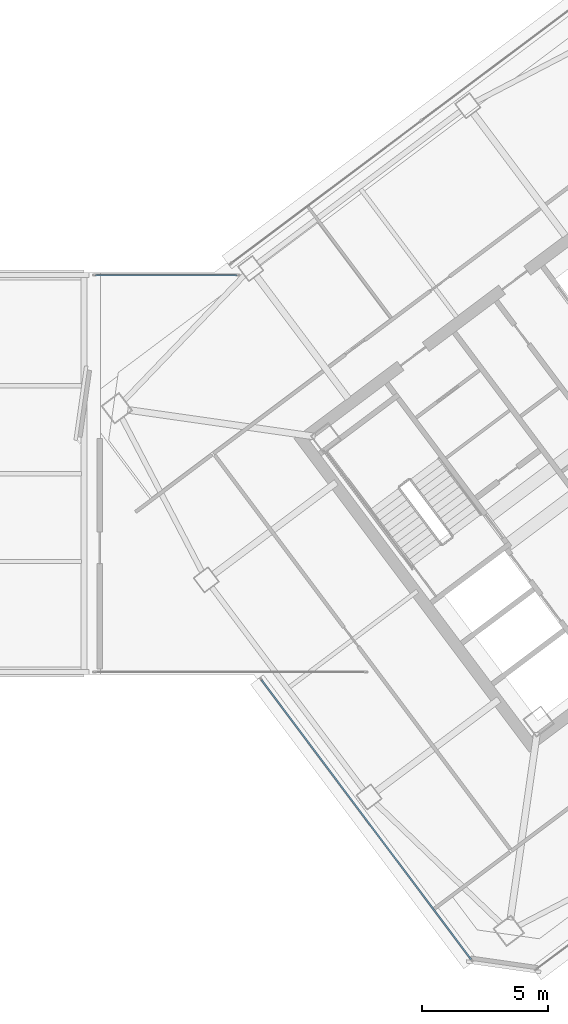
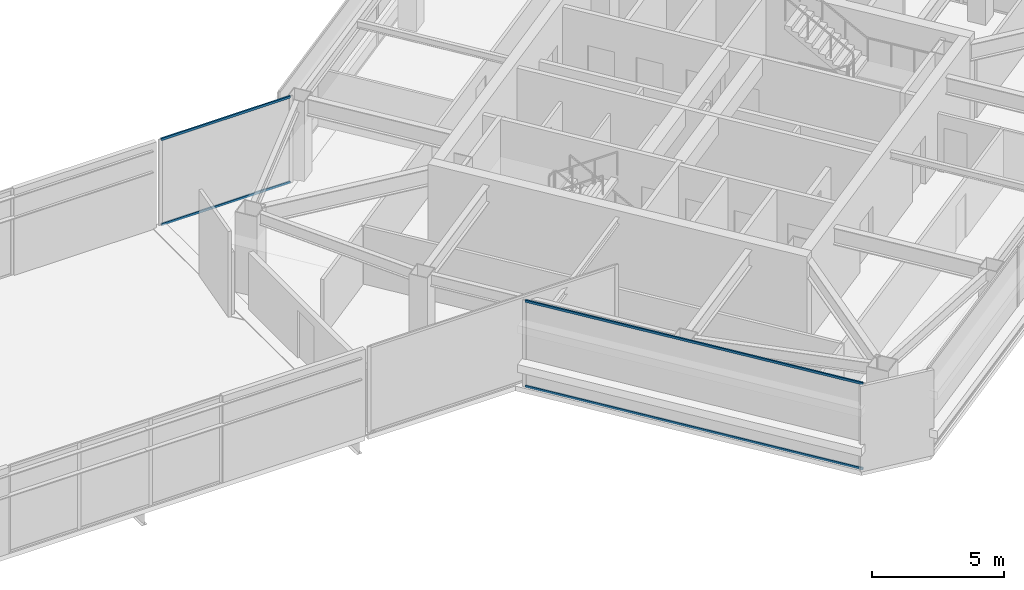
# One storey, part 27 of 51: 4 members, 2 elements without a shape of their own.
"""IFC4 building model written with IfcOpenShell, lengths in metres."""

from ifc_helpers import new_model, si_unit, direction, frame, origin, origin_2d, place, context, subcontext, project, spatial, hollow_rectangle, extrude, material, material_profile, profile_set, type_object, element, aggregate, save


model = new_model("IFC4")

# Units and contexts
model_context = context("Model", 3, precision=1e-05, world=origin(), true_north=direction((0.0, 1.0)))
body_context = subcontext(model_context, "Body", "Model", "MODEL_VIEW")
ifc_project = project(units=[si_unit("LENGTHUNIT", "METRE"), si_unit("AREAUNIT", "SQUARE_METRE"), si_unit("VOLUMEUNIT", "CUBIC_METRE"), si_unit("PLANEANGLEUNIT", "RADIAN"), si_unit("MASSUNIT", "GRAM", prefix="KILO")], contexts=[model_context])

# Site, building, storey
site_placement = place(None, origin())
site = spatial("IfcSite", under=ifc_project, at=site_placement, CompositionType="ELEMENT")
building_placement = place(site_placement, origin())
building = spatial("IfcBuilding", under=site, at=building_placement, Name="Tashvorn Skyway Center", CompositionType="ELEMENT")
storey_placement = place(building_placement, frame((0.0, 0.0, 259.39990234375)))
storey = spatial("IfcBuildingStorey", under=building, at=storey_placement, Name="L70", CompositionType="ELEMENT", Elevation=259.39990234375)

# Curtain wall, members
ifc_material = material(Name="Thermally broken bronze-anodized aluminium 6063-T6", Category="aluminium")
curtain_wall_type = type_object("IfcCurtainWallType", Name="CW-CW-SKY", PredefinedType="NOTDEFINED", material=ifc_material)
curtain_wall_1_placement = place(storey_placement, origin())
curtain_wall_1 = element("IfcCurtainWall", 1, at=curtain_wall_1_placement, inside=storey, type_object=curtain_wall_type, Name="Tower 2 L70 West Curtain Wall A", PredefinedType="NOTDEFINED")
ifc_material_profile = material_profile(ifc_material, hollow_rectangle(XDim=0.06494140625, YDim=0.10498046875, WallThickness=0.00390625, at=origin_2d()), Name="ALU-TRAN-65x105")
ifc_profile_set = profile_set([ifc_material_profile], Name="Thermally broken bronze-anodized aluminium 6063-T6")
member_type = type_object("IfcMemberType", Name="CWT-CW-SKY", PredefinedType="USERDEFINED", material=ifc_profile_set)
member_1_placement = place(storey_placement, frame((109.905029296875, 12.659912109375, 0.03271484375), z_axis=(-0.6, 0.8, 0.0), x_axis=(-0.8, -0.6, 0.0)))
member_1 = element("IfcMember", 2, at=member_1_placement, type_object=member_type, Name="CW-SKY transom 1.1", ObjectType="TRANSOM", PredefinedType="USERDEFINED", context=body_context, shape_type="SweptSolid", body=[
    extrude(hollow_rectangle(XDim=0.06494140625, YDim=0.10498046875, WallThickness=0.00390625, at=origin_2d()), origin(), (0.0, 0.0, 1.0), 13.900146484375),
])
member_2_placement = place(storey_placement, frame((109.905029296875, 12.659912109375, 3.967529296875), z_axis=(-0.6, 0.8, 0.0), x_axis=(-0.8, -0.6, 0.0)))
member_2 = element("IfcMember", 3, at=member_2_placement, type_object=member_type, Name="CW-SKY transom 1.2", ObjectType="TRANSOM", PredefinedType="USERDEFINED", context=body_context, shape_type="SweptSolid", body=[
    extrude(hollow_rectangle(XDim=0.06494140625, YDim=0.10498046875, WallThickness=0.00390625, at=origin_2d()), origin(), (0.0, 0.0, 1.0), 13.900146484375),
])
aggregate(curtain_wall_1, [member_1, member_2])

curtain_wall_2_placement = place(storey_placement, origin())
curtain_wall_2 = element("IfcCurtainWall", 4, at=curtain_wall_2_placement, inside=storey, type_object=curtain_wall_type, Name="Tower 2 L70 Vestibule North Curtain Wall", PredefinedType="NOTDEFINED")
member_3_placement = place(storey_placement, frame((94.945068359375, 39.89990234375, 0.03271484375), z_axis=(1.0, 0.0, 0.0), x_axis=(0.0, 1.0, 0.0)))
member_3 = element("IfcMember", 5, at=member_3_placement, type_object=member_type, Name="CW-SKY transom 1.1", ObjectType="TRANSOM", PredefinedType="USERDEFINED", context=body_context, shape_type="SweptSolid", body=[
    extrude(hollow_rectangle(XDim=0.06494140625, YDim=0.10498046875, WallThickness=0.00390625, at=origin_2d()), origin(), (0.0, 0.0, 1.0), 5.639892578125),
])
member_4_placement = place(storey_placement, frame((94.945068359375, 39.89990234375, 3.967529296875), z_axis=(1.0, 0.0, 0.0), x_axis=(0.0, 1.0, 0.0)))
member_4 = element("IfcMember", 6, at=member_4_placement, type_object=member_type, Name="CW-SKY transom 1.2", ObjectType="TRANSOM", PredefinedType="USERDEFINED", context=body_context, shape_type="SweptSolid", body=[
    extrude(hollow_rectangle(XDim=0.06494140625, YDim=0.10498046875, WallThickness=0.00390625, at=origin_2d()), origin(), (0.0, 0.0, 1.0), 5.639892578125),
])
aggregate(curtain_wall_2, [member_3, member_4])

save(model, "model.ifc")
